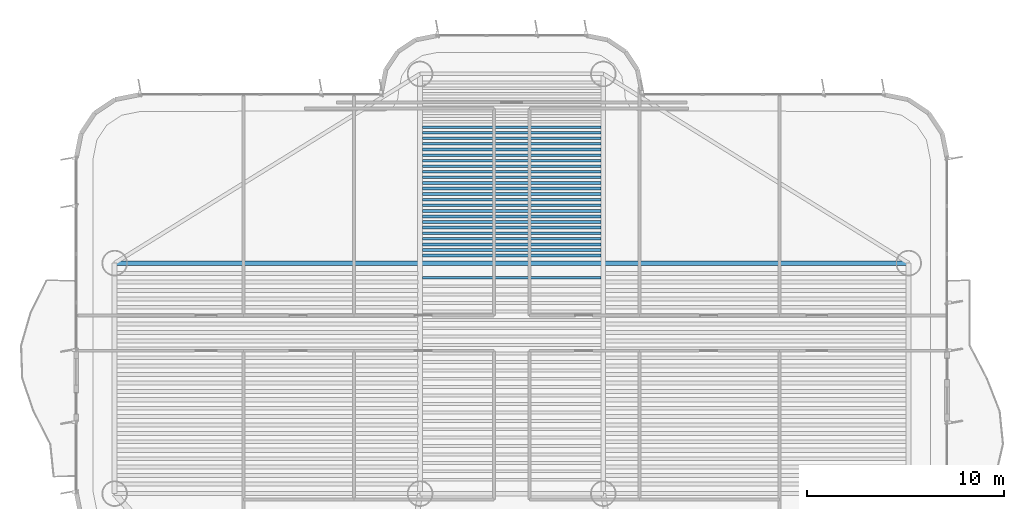
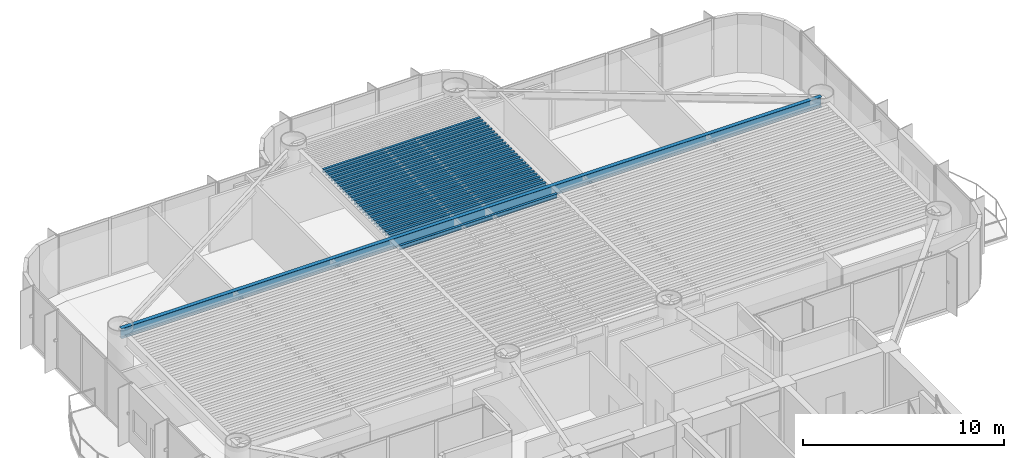
# One storey, part 6 of 16: 26 beams.
"""IFC4 building model written with IfcOpenShell, lengths in metres."""

import ifcopenshell
import ifcopenshell.guid

model = None  # the IFC model being written
_history = None  # IfcOwnerHistory: only IFC2X3 demands one
_inside = {}  # id of a spatial element -> (the spatial element, [elements in it])
_under = {}  # id of a project, library or spatial element -> (it, [spatial elements below it])
_declared = {}  # id of a project -> (the project, [libraries it declares])
_typed = {}  # id of a type object -> (the type object, [elements of that type])
_made_of = {}  # id of a material, layer set ... -> (it, [elements and type objects made of it])


def new_model(schema):
    """Start an empty IFC model of exactly this schema.

    Asked for "IFC4X3", IfcOpenShell would pick the latest addendum, in which some entities
    have other attributes; the version numbers below select the first issue.
    IFC2X3 requires an IfcOwnerHistory on every rooted entity: one is made here for all.
    """
    global model, _history
    if schema == "IFC4X3":
        model = ifcopenshell.file(schema_version=(4, 3, 0, 0))
    else:
        model = ifcopenshell.file(schema=schema)
    _inside.clear()
    _under.clear()
    _declared.clear()
    _typed.clear()
    _made_of.clear()
    _history = None
    if model.schema == "IFC2X3":
        org = make("IfcOrganization", Name="unknown")
        user = make(
            "IfcPersonAndOrganization",
            ThePerson=make("IfcPerson", FamilyName="unknown"),
            TheOrganization=org,
        )
        app = make(
            "IfcApplication",
            ApplicationDeveloper=org,
            Version="unknown",
            ApplicationFullName="unknown",
            ApplicationIdentifier="unknown",
        )
        _history = make(
            "IfcOwnerHistory",
            OwningUser=user,
            OwningApplication=app,
            ChangeAction="ADDED",
            CreationDate=0,
        )
    return model


def make(cls, **values):
    """One entity of the class cls with the attributes given. An attribute that is None is left unset."""
    return model.create_entity(
        cls, **{name: value for name, value in values.items() if value is not None}
    )


def rooted(cls, **values):
    """An entity with a GlobalId (a new one), such as an element, a storey or a relation."""
    return make(cls, GlobalId=ifcopenshell.guid.new(), OwnerHistory=_history, **values)


def si_unit(unit_type, name, prefix=None):
    """IfcSIUnit, for example si_unit("LENGTHUNIT", "METRE", prefix="MILLI")."""
    return make("IfcSIUnit", UnitType=unit_type, Prefix=prefix, Name=name)


def assignment(units):
    """IfcUnitAssignment: the units of a project."""
    return None if units is None else make("IfcUnitAssignment", Units=units)


def point(xyz):
    """IfcCartesianPoint."""
    return None if xyz is None else make("IfcCartesianPoint", Coordinates=xyz)


def direction(xyz):
    """IfcDirection."""
    return None if xyz is None else make("IfcDirection", DirectionRatios=xyz)


def frame(location, z_axis=None, x_axis=None):
    """IfcAxis2Placement3D, a coordinate frame: its origin and axes. An axis left out is left unset."""
    return make(
        "IfcAxis2Placement3D",
        Location=point(location),
        Axis=direction(z_axis),
        RefDirection=direction(x_axis),
    )


def frame_2d(location, x_axis=None):
    """IfcAxis2Placement2D, a coordinate frame in the plane: its origin and x axis."""
    return make(
        "IfcAxis2Placement2D", Location=point(location), RefDirection=direction(x_axis)
    )


def origin():
    """The frame at (0, 0, 0) with its axes left unset."""
    return frame((0.0, 0.0, 0.0))


def origin_2d():
    """The frame at (0, 0) in the plane with its x axis left unset."""
    return frame_2d((0.0, 0.0))


def place(relative_to, where):
    """IfcLocalPlacement: puts the frame where relative to a parent placement (None: the world)."""
    return make(
        "IfcLocalPlacement", PlacementRelTo=relative_to, RelativePlacement=where
    )


def context(
    kind, dimensions, precision=None, world=None, true_north=None, identifier=None
):
    """IfcGeometricRepresentationContext, for example the 3D "Model" context."""
    return make(
        "IfcGeometricRepresentationContext",
        ContextIdentifier=identifier,
        ContextType=kind,
        CoordinateSpaceDimension=dimensions,
        Precision=precision,
        WorldCoordinateSystem=world,
        TrueNorth=true_north,
    )


def subcontext(parent, identifier, kind, view, scale=None):
    """IfcGeometricRepresentationSubContext, for example "Body" below "Model"."""
    return make(
        "IfcGeometricRepresentationSubContext",
        ContextIdentifier=identifier,
        ContextType=kind,
        ParentContext=parent,
        TargetScale=scale,
        TargetView=view,
    )


def project(units=None, contexts=None):
    """IfcProject with its units and contexts."""
    return rooted(
        "IfcProject",
        Name="project",
        RepresentationContexts=contexts,
        UnitsInContext=assignment(units),
    )


def spatial(cls, under=None, at=None, **own):
    """A site, building, storey or space (cls), placed at a placement, below another one or the project."""
    s = rooted(cls, ObjectPlacement=at, **own)
    if under is not None:
        _under.setdefault(under.id(), (under, []))[1].append(s)
    return s


def profile(cls, at=None, kind="AREA", **sizes):
    """A parametric profile (cls). Its sizes go by their IFC names, for example OverallWidth=200.0."""
    return make(cls, ProfileType=kind, Position=at, **sizes)


def i_section(**sizes):
    """IfcIShapeProfileDef."""
    return profile("IfcIShapeProfileDef", **sizes)


def extrude(swept, where, along, depth):
    """IfcExtrudedAreaSolid: the profile swept, set in the frame where, extruded along a direction by depth."""
    return make(
        "IfcExtrudedAreaSolid",
        SweptArea=swept,
        Position=where,
        ExtrudedDirection=direction(along),
        Depth=depth,
    )


def shape(context_of_items, identifier, shape_type, items):
    """IfcShapeRepresentation: the items that make up one representation, for example the "Body"."""
    return make(
        "IfcShapeRepresentation",
        ContextOfItems=context_of_items,
        RepresentationIdentifier=identifier,
        RepresentationType=shape_type,
        Items=items,
    )


def source(mapping_origin, context_of_items, identifier, shape_type, items):
    """IfcRepresentationMap: a shape defined once, which mapped items show again and again."""
    return make(
        "IfcRepresentationMap",
        MappingOrigin=mapping_origin,
        MappedRepresentation=shape(context_of_items, identifier, shape_type, items),
    )


def transform(
    local_origin,
    x_axis=None,
    y_axis=None,
    z_axis=None,
    scale=None,
    scale2=None,
    scale3=None,
    uniform=True,
):
    """IfcCartesianTransformationOperator3D, or its non-uniform kind. x_axis, y_axis, z_axis: its Axis1, 2, 3."""
    if uniform:
        return make(
            "IfcCartesianTransformationOperator3D",
            Axis1=direction(x_axis),
            Axis2=direction(y_axis),
            LocalOrigin=point(local_origin),
            Scale=scale,
            Axis3=direction(z_axis),
        )
    return make(
        "IfcCartesianTransformationOperator3DnonUniform",
        Axis1=direction(x_axis),
        Axis2=direction(y_axis),
        LocalOrigin=point(local_origin),
        Scale=scale,
        Axis3=direction(z_axis),
        Scale2=scale2,
        Scale3=scale3,
    )


def mapped(mapping_source, mapping_target):
    """IfcMappedItem: shows the shape of a source again, moved by a transform."""
    return make(
        "IfcMappedItem", MappingSource=mapping_source, MappingTarget=mapping_target
    )


def material(Name=None, Category=None):
    """IfcMaterial."""
    return make("IfcMaterial", Name=Name, Category=Category)


def material_profile(
    of_material, cross_section, Name=None, Category=None, Priority=None
):
    """IfcMaterialProfile: a cross section and its material."""
    return make(
        "IfcMaterialProfile",
        Name=Name,
        Material=of_material,
        Profile=cross_section,
        Priority=Priority,
        Category=Category,
    )


def profile_set(profiles, Name=None, composite=None):
    """IfcMaterialProfileSet."""
    return make(
        "IfcMaterialProfileSet",
        Name=Name,
        MaterialProfiles=profiles,
        CompositeProfile=composite,
    )


def made_of(thing, what):
    """Note that an element or type object is made of a material, layer set ...; save() writes the relation."""
    if what is not None:
        _made_of.setdefault(what.id(), (what, []))[1].append(thing)
    return thing


def type_object(cls, material=None, **own):
    """A type object (cls), such as IfcWallType, which elements share."""
    return made_of(rooted(cls, **own), material)


def element(
    cls,
    number,
    at=None,
    inside=None,
    cuts=None,
    type_object=None,
    material=None,
    context=None,
    identifier="Body",
    shape_type=None,
    held_by="IfcProductDefinitionShape",
    body=None,
    shapes=None,
    **own,
):
    """One element of the class cls, such as IfcWall. Its Tag is "e" and its number.

    at: its placement. inside: the storey or other place that contains it. cuts: it is an
    opening in that element (IfcRelVoidsElement). A single representation is given by context,
    identifier, shape_type and body (its items); several are given by shapes. held_by: the class
    of the entity that holds the representations. save() writes the other relations.
    """
    e = rooted(cls, Tag="e%d" % number, ObjectPlacement=at, **own)
    if body is not None:
        shapes = [shape(context, identifier, shape_type, body)]
    if shapes is not None:
        e.Representation = make(held_by, Representations=shapes)
    if inside is not None:
        _inside.setdefault(inside.id(), (inside, []))[1].append(e)
    if cuts is not None:
        rooted(
            "IfcRelVoidsElement", RelatingBuildingElement=cuts, RelatedOpeningElement=e
        )
    if type_object is not None:
        _typed.setdefault(type_object.id(), (type_object, []))[1].append(e)
    return made_of(e, material)


def aggregate(whole, parts):
    """IfcRelAggregates: a whole, such as a stair, and the parts it consists of."""
    return rooted("IfcRelAggregates", RelatingObject=whole, RelatedObjects=parts)


def save(model, path):
    """Write the relations noted so far, then the file.

    IfcRelAggregates (storeys below a building ...), IfcRelContainedInSpatialStructure (elements
    in a storey), IfcRelDefinesByType, IfcRelAssociatesMaterial and IfcRelDeclares: one each for
    every whole, place, type object, material and project.
    """
    for whole, parts in _under.values():
        aggregate(whole, parts)
    for where, things in _inside.values():
        rooted(
            "IfcRelContainedInSpatialStructure",
            RelatedElements=things,
            RelatingStructure=where,
        )
    for kind, things in _typed.values():
        rooted("IfcRelDefinesByType", RelatedObjects=things, RelatingType=kind)
    for what, things in _made_of.values():
        rooted("IfcRelAssociatesMaterial", RelatedObjects=things, RelatingMaterial=what)
    for by, libraries in _declared.values():
        rooted("IfcRelDeclares", RelatingContext=by, RelatedDefinitions=libraries)
    model.write(path)


model = new_model("IFC4")

# Units and contexts
model_context = context("Model", 3, precision=1e-05, world=origin(), true_north=direction((0.0, 1.0)))
body_context = subcontext(model_context, "Body", "Model", "MODEL_VIEW")
ifc_project = project(units=[si_unit("LENGTHUNIT", "METRE"), si_unit("AREAUNIT", "SQUARE_METRE"), si_unit("VOLUMEUNIT", "CUBIC_METRE"), si_unit("PLANEANGLEUNIT", "RADIAN"), si_unit("MASSUNIT", "GRAM", prefix="KILO")], contexts=[model_context])

# Site, building, storey
site_placement = place(None, origin())
site = spatial("IfcSite", under=ifc_project, at=site_placement, CompositionType="ELEMENT")
building_placement = place(site_placement, origin())
building = spatial("IfcBuilding", under=site, at=building_placement, Name="Brelvock Crest Care Tower", CompositionType="ELEMENT")
storey_placement = place(building_placement, frame((0.0, 0.0, 123.840087890625)))
storey = spatial("IfcBuildingStorey", under=building, at=storey_placement, Name="L31", CompositionType="ELEMENT", Elevation=123.840087890625)

# Beams
ifc_material = material(Name="Steel Grade 350", Category="steel")
ifc_material_profile_1 = material_profile(ifc_material, i_section(OverallWidth=0.14599609375, OverallDepth=0.256103515625, WebThickness=0.00634765625, FlangeThickness=0.010986328125, FilletRadius=0.0087890625, at=origin_2d()), Name="250UB37.3")
ifc_profile_set_1 = profile_set([ifc_material_profile_1], Name="Steel Grade 350")
beam_type_1 = type_object("IfcBeamType", Name="BM-J3", PredefinedType="JOIST", material=ifc_profile_set_1)
shared_shape_1 = source(origin(), body_context, "Body", "SweptSolid", [
    extrude(i_section(OverallWidth=0.14599609375, OverallDepth=0.256103515625, WebThickness=0.00634765625, FlangeThickness=0.010986328125, FilletRadius=0.0087890625, at=origin_2d()), origin(), (0.0, 0.0, 1.0), 9.06982421875),
])
for number, where, z_axis, x_axis, name in (
    (1, (31.465087890625, 38.10400390625, 3.40185546875), (1.0, 0.0, 0.0), (0.0, 1.0, 0.0), "BM-JH-L31-25"),
    (2, (31.465087890625, 39.23388671875, 3.40185546875), (1.0, 0.0, 0.0), (0.0, 1.0, 0.0), "BM-JN-L31-1"),
    (3, (31.465087890625, 39.51708984375, 3.40185546875), (1.0, 0.0, 0.0), (0.0, 1.0, 0.0), "BM-JN-L31-2"),
    (4, (31.465087890625, 39.80029296875, 3.40185546875), (1.0, 0.0, 0.0), (0.0, 1.0, 0.0), "BM-JN-L31-3"),
    (5, (31.465087890625, 40.08349609375, 3.40185546875), (1.0, 0.0, 0.0), (0.0, 1.0, 0.0), "BM-JN-L31-4"),
    (6, (31.465087890625, 40.36669921875, 3.40185546875), (1.0, 0.0, 0.0), (0.0, 1.0, 0.0), "BM-JN-L31-5"),
    (7, (31.465087890625, 40.64990234375, 3.40185546875), (1.0, 0.0, 0.0), (0.0, 1.0, 0.0), "BM-JN-L31-6"),
    (8, (31.465087890625, 40.93310546875, 3.40185546875), (1.0, 0.0, 0.0), (0.0, 1.0, 0.0), "BM-JN-L31-7"),
    (9, (31.465087890625, 41.21630859375, 3.40185546875), (1.0, 0.0, 0.0), (0.0, 1.0, 0.0), "BM-JN-L31-8"),
    (10, (31.465087890625, 41.49951171875, 3.40185546875), (1.0, 0.0, 0.0), (0.0, 1.0, 0.0), "BM-JN-L31-9"),
    (11, (31.465087890625, 41.78271484375, 3.40185546875), (1.0, 0.0, 0.0), (0.0, 1.0, 0.0), "BM-JN-L31-10"),
    (12, (31.465087890625, 42.06591796875, 3.40185546875), (1.0, 0.0, 0.0), (0.0, 1.0, 0.0), "BM-JN-L31-11"),
    (13, (31.465087890625, 42.34912109375, 3.40185546875), (1.0, 0.0, 0.0), (0.0, 1.0, 0.0), "BM-JN-L31-12"),
    (14, (31.465087890625, 42.63232421875, 3.40185546875), (1.0, 0.0, 0.0), (0.0, 1.0, 0.0), "BM-JN-L31-13"),
):
    element("IfcBeam", number, at=place(storey_placement, frame(where, z_axis=z_axis, x_axis=x_axis)), inside=storey, type_object=beam_type_1, Name=name, PredefinedType="JOIST", context=body_context, shape_type="MappedRepresentation", body=[
        mapped(shared_shape_1, transform((0.0, 0.0, 0.0), x_axis=(1.0, 0.0, 0.0), y_axis=(0.0, 1.0, 0.0), z_axis=(0.0, 0.0, 1.0), scale=1.0)),
    ])
ifc_material_profile_2 = material_profile(ifc_material, i_section(OverallWidth=0.134033203125, OverallDepth=0.20703125, WebThickness=0.00634765625, FlangeThickness=0.009521484375, FilletRadius=0.0087890625, at=origin_2d()), Name="200UB29.8")
ifc_profile_set_2 = profile_set([ifc_material_profile_2], Name="Steel Grade 350")
beam_type_2 = type_object("IfcBeamType", Name="BM-J4", PredefinedType="JOIST", material=ifc_profile_set_2)
shared_shape_2 = source(origin(), body_context, "Body", "SweptSolid", [
    extrude(i_section(OverallWidth=0.134033203125, OverallDepth=0.20703125, WebThickness=0.00634765625, FlangeThickness=0.009521484375, FilletRadius=0.0087890625, at=origin_2d()), origin(), (0.0, 0.0, 1.0), 9.06982421875),
])
for number, where, z_axis, x_axis, name in (
    (15, (31.465087890625, 42.91552734375, 3.426513671875), (1.0, 0.0, 0.0), (0.0, 1.0, 0.0), "BM-JN-L31-14"),
    (16, (31.465087890625, 43.19873046875, 3.426513671875), (1.0, 0.0, 0.0), (0.0, 1.0, 0.0), "BM-JN-L31-15"),
    (17, (31.465087890625, 43.48193359375, 3.426513671875), (1.0, 0.0, 0.0), (0.0, 1.0, 0.0), "BM-JN-L31-16"),
    (18, (31.465087890625, 43.76513671875, 3.426513671875), (1.0, 0.0, 0.0), (0.0, 1.0, 0.0), "BM-JN-L31-17"),
    (19, (31.465087890625, 44.04833984375, 3.426513671875), (1.0, 0.0, 0.0), (0.0, 1.0, 0.0), "BM-JN-L31-18"),
    (20, (31.465087890625, 44.33154296875, 3.426513671875), (1.0, 0.0, 0.0), (0.0, 1.0, 0.0), "BM-JN-L31-19"),
    (21, (31.465087890625, 44.61474609375, 3.426513671875), (1.0, 0.0, 0.0), (0.0, 1.0, 0.0), "BM-JN-L31-20"),
    (22, (31.465087890625, 44.89794921875, 3.426513671875), (1.0, 0.0, 0.0), (0.0, 1.0, 0.0), "BM-JN-L31-21"),
    (23, (31.465087890625, 45.18115234375, 3.426513671875), (1.0, 0.0, 0.0), (0.0, 1.0, 0.0), "BM-JN-L31-22"),
    (24, (31.465087890625, 45.46435546875, 3.426513671875), (1.0, 0.0, 0.0), (0.0, 1.0, 0.0), "BM-JN-L31-23"),
    (25, (31.465087890625, 45.74755859375, 3.426513671875), (1.0, 0.0, 0.0), (0.0, 1.0, 0.0), "BM-JN-L31-24"),
):
    element("IfcBeam", number, at=place(storey_placement, frame(where, z_axis=z_axis, x_axis=x_axis)), inside=storey, type_object=beam_type_2, Name=name, PredefinedType="JOIST", context=body_context, shape_type="MappedRepresentation", body=[
        mapped(shared_shape_2, transform((0.0, 0.0, 0.0), x_axis=(1.0, 0.0, 0.0), y_axis=(0.0, 1.0, 0.0), z_axis=(0.0, 0.0, 1.0), scale=1.0)),
    ])
ifc_material_profile_3 = material_profile(ifc_material, i_section(OverallWidth=0.22900390625, OverallDepth=0.612060546875, WebThickness=0.011962890625, FlangeThickness=0.01953125, FilletRadius=0.013916015625, at=origin_2d()), Name="610UB125")
ifc_profile_set_3 = profile_set([ifc_material_profile_3], Name="Steel Grade 350")
beam_type_3 = type_object("IfcBeamType", Name="BM-G1", PredefinedType="BEAM", material=ifc_profile_set_3)
shared_shape_3 = source(origin(), body_context, "Body", "SweptSolid", [
    extrude(i_section(OverallWidth=0.22900390625, OverallDepth=0.612060546875, WebThickness=0.011962890625, FlangeThickness=0.01953125, FilletRadius=0.013916015625, at=origin_2d()), origin(), (0.0, 0.0, 1.0), 40.2998046875),
])
beam_placement = place(storey_placement, frame((15.85009765625, 38.85009765625, 3.223876953125), z_axis=(1.0, 0.0, 0.0), x_axis=(0.0, 1.0, 0.0)))
element("IfcBeam", 26, at=beam_placement, inside=storey, type_object=beam_type_3, Name="BM-TWR-L31-11", PredefinedType="BEAM", context=body_context, shape_type="MappedRepresentation", body=[
    mapped(shared_shape_3, transform((0.0, 0.0, 0.0), x_axis=(1.0, 0.0, 0.0), y_axis=(0.0, 1.0, 0.0), z_axis=(0.0, 0.0, 1.0), scale=1.0)),
])

save(model, "model.ifc")
